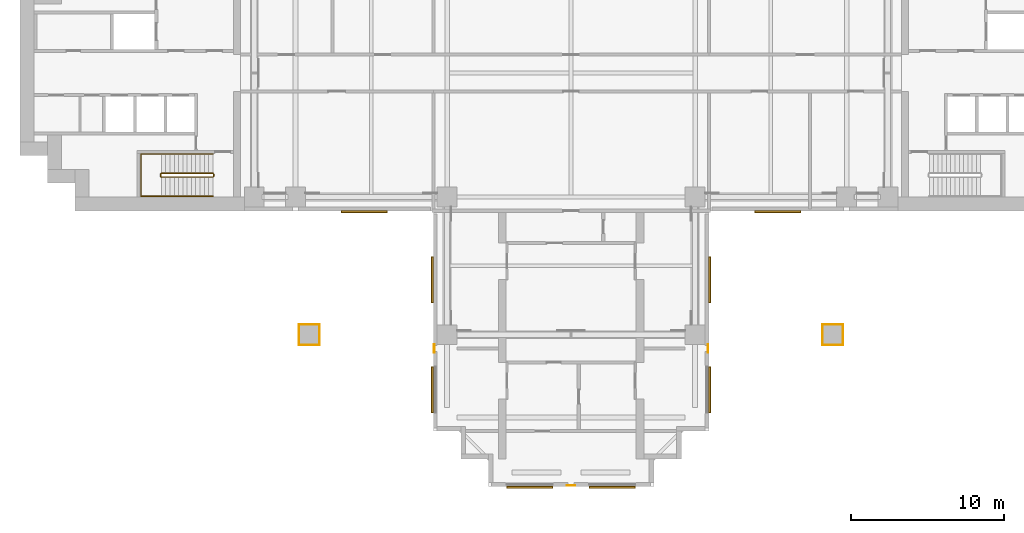
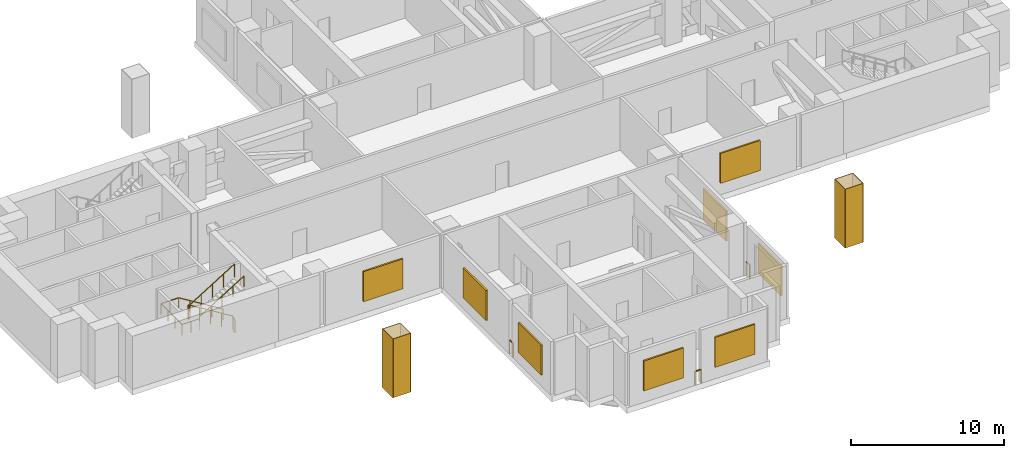
# One storey, part 9 of 10: 8 coverings, 8 shading devices, 5 railings.
"""IFC4 building model written with IfcOpenShell, lengths in metres."""

from ifc_helpers import new_model, si_unit, direction, frame, origin, origin_2d, place, context, subcontext, project, spatial, rectangle, extrude, material, layer, layer_set, type_object, element, save


model = new_model("IFC4")

# Units and contexts
model_context = context("Model", 3, precision=1e-05, world=origin(), true_north=direction((0.0, 1.0)))
body_context = subcontext(model_context, "Body", "Model", "MODEL_VIEW")
ifc_project = project(units=[si_unit("LENGTHUNIT", "METRE"), si_unit("AREAUNIT", "SQUARE_METRE"), si_unit("VOLUMEUNIT", "CUBIC_METRE"), si_unit("PLANEANGLEUNIT", "RADIAN"), si_unit("MASSUNIT", "GRAM", prefix="KILO")], contexts=[model_context])

# Site, building, storey
site_placement = place(None, origin())
site = spatial("IfcSite", under=ifc_project, at=site_placement, CompositionType="ELEMENT")
building_placement = place(site_placement, origin())
building = spatial("IfcBuilding", under=site, at=building_placement, Name="Perihelion Cross Residences", CompositionType="ELEMENT")
storey_placement = place(building_placement, frame((0.0, 0.0, 97.89990234375)))
storey = spatial("IfcBuildingStorey", under=building, at=storey_placement, Name="L22", CompositionType="ELEMENT", Elevation=97.89990234375)

# Coverings
ifc_material_1 = material(Name="Bronze anodised aluminium", Category="aluminium")
ifc_layer_1 = layer(ifc_material_1, 0.0400390625)
ifc_layer_set_1 = layer_set([ifc_layer_1], Name="Bronze column casing 40")
covering_type = type_object("IfcCoveringType", Name="Bronze column casing 40", PredefinedType="CLADDING", material=ifc_layer_set_1)
covering_1_placement = place(storey_placement, frame((-17.77001953125, -17.10009765625, -0.44970703125), z_axis=(0.0, 0.0, 1.0), x_axis=(1.0, 0.0, 0.0)))
element("IfcCovering", 1, at=covering_1_placement, inside=storey, type_object=covering_type, Name="Cladding CC1 L22 casing east-west no. 1", PredefinedType="CLADDING", context=body_context, shape_type="SweptSolid", body=[
    extrude(rectangle(XDim=0.0400390625, YDim=1.3798828125, at=origin_2d()), origin(), (0.0, 0.0, 1.0), 4.699951171875),
])
covering_2_placement = place(storey_placement, frame((-17.10009765625, -17.77001953125, -0.44970703125), z_axis=(0.0, 0.0, 1.0), x_axis=(1.0, 0.0, 0.0)))
element("IfcCovering", 2, at=covering_2_placement, inside=storey, type_object=covering_type, Name="Cladding CC1 L22 casing north-south no. 1", PredefinedType="CLADDING", context=body_context, shape_type="SweptSolid", body=[
    extrude(rectangle(XDim=1.300048828125, YDim=0.0400390625, at=origin_2d()), origin(), (0.0, 0.0, 1.0), 4.699951171875),
])
covering_3_placement = place(storey_placement, frame((-16.429931640625, -17.10009765625, -0.44970703125), z_axis=(0.0, 0.0, 1.0), x_axis=(1.0, 0.0, 0.0)))
element("IfcCovering", 3, at=covering_3_placement, inside=storey, type_object=covering_type, Name="Cladding CC1 L22 casing inner east-west no. 1", PredefinedType="CLADDING", context=body_context, shape_type="SweptSolid", body=[
    extrude(rectangle(XDim=0.0400390625, YDim=1.3798828125, at=origin_2d()), origin(), (0.0, 0.0, 1.0), 4.699951171875),
])
covering_4_placement = place(storey_placement, frame((-17.10009765625, -16.429931640625, -0.44970703125), z_axis=(0.0, 0.0, 1.0), x_axis=(1.0, 0.0, 0.0)))
element("IfcCovering", 4, at=covering_4_placement, inside=storey, type_object=covering_type, Name="Cladding CC1 L22 casing inner north-south no. 1", PredefinedType="CLADDING", context=body_context, shape_type="SweptSolid", body=[
    extrude(rectangle(XDim=1.300048828125, YDim=0.0400390625, at=origin_2d()), origin(), (0.0, 0.0, 1.0), 4.699951171875),
])
covering_5_placement = place(storey_placement, frame((17.77001953125, -17.10009765625, -0.44970703125), z_axis=(0.0, 0.0, 1.0), x_axis=(1.0, 0.0, 0.0)))
element("IfcCovering", 5, at=covering_5_placement, inside=storey, type_object=covering_type, Name="Cladding CC1 L22 casing east-west no. 3", PredefinedType="CLADDING", context=body_context, shape_type="SweptSolid", body=[
    extrude(rectangle(XDim=0.0400390625, YDim=1.3798828125, at=origin_2d()), origin(), (0.0, 0.0, 1.0), 4.699951171875),
])
covering_6_placement = place(storey_placement, frame((17.10009765625, -17.77001953125, -0.44970703125), z_axis=(0.0, 0.0, 1.0), x_axis=(1.0, 0.0, 0.0)))
element("IfcCovering", 6, at=covering_6_placement, inside=storey, type_object=covering_type, Name="Cladding CC1 L22 casing north-south no. 3", PredefinedType="CLADDING", context=body_context, shape_type="SweptSolid", body=[
    extrude(rectangle(XDim=1.300048828125, YDim=0.0400390625, at=origin_2d()), origin(), (0.0, 0.0, 1.0), 4.699951171875),
])
covering_7_placement = place(storey_placement, frame((16.429931640625, -17.10009765625, -0.44970703125), z_axis=(0.0, 0.0, 1.0), x_axis=(1.0, 0.0, 0.0)))
element("IfcCovering", 7, at=covering_7_placement, inside=storey, type_object=covering_type, Name="Cladding CC1 L22 casing inner east-west no. 3", PredefinedType="CLADDING", context=body_context, shape_type="SweptSolid", body=[
    extrude(rectangle(XDim=0.0400390625, YDim=1.3798828125, at=origin_2d()), origin(), (0.0, 0.0, 1.0), 4.699951171875),
])
covering_8_placement = place(storey_placement, frame((17.10009765625, -16.429931640625, -0.44970703125), z_axis=(0.0, 0.0, 1.0), x_axis=(1.0, 0.0, 0.0)))
element("IfcCovering", 8, at=covering_8_placement, inside=storey, type_object=covering_type, Name="Cladding CC1 L22 casing inner north-south no. 3", PredefinedType="CLADDING", context=body_context, shape_type="SweptSolid", body=[
    extrude(rectangle(XDim=1.300048828125, YDim=0.0400390625, at=origin_2d()), origin(), (0.0, 0.0, 1.0), 4.699951171875),
])

# Shading devices
ifc_material_2 = material(Name="Bronze anodised aluminium", Category="aluminium")
ifc_layer_2 = layer(ifc_material_2, 0.1201171875)
ifc_layer_set_2 = layer_set([ifc_layer_2], Name="Louvre panel")
shading_device_type = type_object("IfcShadingDeviceType", Name="Louvre panel", PredefinedType="USERDEFINED", material=ifc_layer_set_2)
for number, where, z_axis, x_axis, name in (
    (9, (-13.5, -9.06005859375, 1.000244140625), (0.0, 0.0, 1.0), (1.0, 0.0, 0.0), "Louvre LV1 L22 west side south bay 2"),
    (10, (-9.06005859375, -13.5, 1.000244140625), (0.0, 0.0, 1.0), (0.0, -1.0, 0.0), "Louvre LV1 L22 south side west bay 1"),
    (11, (-9.06005859375, -20.699951171875, 1.000244140625), (0.0, 0.0, 1.0), (0.0, -1.0, 0.0), "Louvre LV1 L22 south side west bay 2"),
    (12, (-2.699951171875, -27.06005859375, 1.000244140625), (0.0, 0.0, 1.0), (1.0, 0.0, 0.0), "Louvre LV1 L22 south tip south bay 1"),
    (13, (2.699951171875, -27.06005859375, 1.000244140625), (0.0, 0.0, 1.0), (1.0, 0.0, 0.0), "Louvre LV1 L22 south tip south bay 2"),
    (14, (9.06005859375, -20.699951171875, 1.000244140625), (0.0, 0.0, 1.0), (0.0, 1.0, 0.0), "Louvre LV1 L22 south side east bay 1"),
    (15, (9.06005859375, -13.5, 1.000244140625), (0.0, 0.0, 1.0), (0.0, 1.0, 0.0), "Louvre LV1 L22 south side east bay 2"),
    (16, (13.5, -9.06005859375, 1.000244140625), (0.0, 0.0, 1.0), (1.0, 0.0, 0.0), "Louvre LV1 L22 east side south bay 1"),
):
    element("IfcShadingDevice", number, at=place(storey_placement, frame(where, z_axis=z_axis, x_axis=x_axis)), inside=storey, type_object=shading_device_type, Name=name, ObjectType="LOUVRE", PredefinedType="USERDEFINED", context=body_context, shape_type="SweptSolid", body=[
        extrude(rectangle(XDim=3.0, YDim=0.1201171875, at=origin_2d()), origin(), (0.0, 0.0, 1.0), 2.39990234375),
    ])

# Railings
ifc_material_3 = material(Name="Bronze anodised aluminium", Category="aluminium")
railing_type_1 = type_object("IfcRailingType", Name="Roof guard 1100", PredefinedType="GUARDRAIL", material=ifc_material_3)
railing_1_placement = place(storey_placement, frame((-8.93994140625, -17.75, 0.0)))
element("IfcRailing", 17, at=railing_1_placement, inside=storey, type_object=railing_type_1, Name="Guard GU3 L22 edge 1 1 4", PredefinedType="GUARDRAIL", context=body_context, shape_type="SweptSolid", body=[
    extrude(rectangle(XDim=0.048095703125, YDim=0.048095703125, at=origin_2d()), frame((0.0, 0.0, 1.076171875), z_axis=(0.0, -1.0, 0.0), x_axis=(1.0, 0.0, 0.0)), (0.0, 0.0, 1.0), 0.5),
    extrude(rectangle(XDim=0.0419921875, YDim=0.0419921875, at=origin_2d()), origin(), (0.0, 0.0, 1.0), 1.052001953125),
    extrude(rectangle(XDim=0.0419921875, YDim=0.0419921875, at=origin_2d()), frame((0.0, -0.5, 0.0)), (0.0, 0.0, 1.0), 1.052001953125),
])
railing_2_placement = place(storey_placement, frame((-0.25, -26.93994140625, 0.0)))
element("IfcRailing", 18, at=railing_2_placement, inside=storey, type_object=railing_type_1, Name="Guard GU3 L22 edge 1 1 5", PredefinedType="GUARDRAIL", context=body_context, shape_type="SweptSolid", body=[
    extrude(rectangle(XDim=0.048095703125, YDim=0.048095703125, at=origin_2d()), frame((0.0, 0.0, 1.076171875), z_axis=(1.0, 0.0, 0.0), x_axis=(0.0, 1.0, 0.0)), (0.0, 0.0, 1.0), 0.5),
    extrude(rectangle(XDim=0.0419921875, YDim=0.0419921875, at=origin_2d()), origin(), (0.0, 0.0, 1.0), 1.052001953125),
    extrude(rectangle(XDim=0.0419921875, YDim=0.0419921875, at=origin_2d()), frame((0.5, 0.0, 0.0)), (0.0, 0.0, 1.0), 1.052001953125),
])
railing_3_placement = place(storey_placement, frame((8.93994140625, -18.25, 0.0)))
element("IfcRailing", 19, at=railing_3_placement, inside=storey, type_object=railing_type_1, Name="Guard GU3 L22 edge 1 1 6", PredefinedType="GUARDRAIL", context=body_context, shape_type="SweptSolid", body=[
    extrude(rectangle(XDim=0.048095703125, YDim=0.048095703125, at=origin_2d()), frame((0.0, 0.0, 1.076171875), z_axis=(0.0, 1.0, 0.0), x_axis=(-1.0, 0.0, 0.0)), (0.0, 0.0, 1.0), 0.5),
    extrude(rectangle(XDim=0.0419921875, YDim=0.0419921875, at=origin_2d()), origin(), (0.0, 0.0, 1.0), 1.052001953125),
    extrude(rectangle(XDim=0.0419921875, YDim=0.0419921875, at=origin_2d()), frame((0.0, 0.5, 0.0)), (0.0, 0.0, 1.0), 1.052001953125),
])
ifc_material_4 = material(Name="Stainless steel", Category="steel")
railing_type_2 = type_object("IfcRailingType", Name="Stair guard 1100", PredefinedType="GUARDRAIL", material=ifc_material_4)
railing_4_placement = place(storey_placement, frame((-23.35009765625, -6.75, 0.0)))
element("IfcRailing", 20, at=railing_4_placement, inside=storey, type_object=railing_type_2, Name="L22 ST-W2 stair guard 1", PredefinedType="GUARDRAIL", context=body_context, shape_type="SweptSolid", body=[
    extrude(rectangle(XDim=0.048095703125, YDim=0.048095703125, at=origin_2d()), frame((0.0, 0.0, 1.076171875), z_axis=(0.0, 1.0, 0.0), x_axis=(-1.0, 0.0, 0.0)), (0.0, 0.0, 1.0), 0.14990234375),
    extrude(rectangle(XDim=0.048095703125, YDim=0.048095703125, at=origin_2d()), frame((0.0, 0.14990234375, 1.076171875), z_axis=(-0.266417085129, 0.267723051232, 0.925929967433), x_axis=(-0.708833529934, -0.705375805398, 0.0)), (0.0, 0.0, 1.0), 0.18701171875),
    extrude(rectangle(XDim=0.048095703125, YDim=0.048095703125, at=origin_2d()), frame((-0.0498046875, 0.199951171875, 1.2490234375), z_axis=(-0.850623216509, 0.0, 0.525775754039), x_axis=(0.0, -1.0, 0.0)), (0.0, 0.0, 1.0), 3.9501953125),
    extrude(rectangle(XDim=0.048095703125, YDim=0.048095703125, at=origin_2d()), frame((-3.409912109375, 0.199951171875, 3.326171875), z_axis=(-0.707106781187, -0.707106781187, 0.0), x_axis=(0.707106781187, -0.707106781187, 0.0)), (0.0, 0.0, 1.0), 0.07080078125),
    extrude(rectangle(XDim=0.048095703125, YDim=0.048095703125, at=origin_2d()), frame((-3.4599609375, 0.14990234375, 3.326171875), z_axis=(0.0, -1.0, 0.0), x_axis=(1.0, 0.0, 0.0)), (0.0, 0.0, 1.0), 0.14990234375),
    extrude(rectangle(XDim=0.048095703125, YDim=0.048095703125, at=origin_2d()), frame((-3.4599609375, 0.0, 3.326171875), z_axis=(0.267629722418, -0.267629722418, 0.925607186314), x_axis=(0.707106781187, 0.707106781187, 0.0)), (0.0, 0.0, 1.0), 0.18701171875),
    extrude(rectangle(XDim=0.048095703125, YDim=0.048095703125, at=origin_2d()), frame((-3.409912109375, -0.050048828125, 3.4990234375), z_axis=(0.850623216509, 0.0, 0.525775754039), x_axis=(0.0, 1.0, 0.0)), (0.0, 0.0, 1.0), 3.9501953125),
    extrude(rectangle(XDim=0.0419921875, YDim=0.0419921875, at=origin_2d()), origin(), (0.0, 0.0, 1.0), 1.052001953125),
    extrude(rectangle(XDim=0.0419921875, YDim=0.0419921875, at=origin_2d()), frame((0.0, 0.14990234375, 0.0)), (0.0, 0.0, 1.0), 1.052001953125),
    extrude(rectangle(XDim=0.0419921875, YDim=0.0419921875, at=origin_2d()), frame((-0.0498046875, 0.199951171875, 0.173095703125)), (0.0, 0.0, 1.0), 1.052001953125),
    extrude(rectangle(XDim=0.0419921875, YDim=0.0419921875, at=origin_2d()), frame((-0.889892578125, 0.199951171875, 0.6923828125)), (0.0, 0.0, 1.0), 1.052001953125),
    extrude(rectangle(XDim=0.0419921875, YDim=0.0419921875, at=origin_2d()), frame((-1.72998046875, 0.199951171875, 1.21142578125)), (0.0, 0.0, 1.0), 1.052001953125),
    extrude(rectangle(XDim=0.0419921875, YDim=0.0419921875, at=origin_2d()), frame((-2.56982421875, 0.199951171875, 1.730712890625)), (0.0, 0.0, 1.0), 1.052001953125),
    extrude(rectangle(XDim=0.0419921875, YDim=0.0419921875, at=origin_2d()), frame((-3.409912109375, 0.199951171875, 2.25)), (0.0, 0.0, 1.0), 1.052001953125),
    extrude(rectangle(XDim=0.0419921875, YDim=0.0419921875, at=origin_2d()), frame((-3.4599609375, 0.14990234375, 2.25)), (0.0, 0.0, 1.0), 1.052001953125),
    extrude(rectangle(XDim=0.0419921875, YDim=0.0419921875, at=origin_2d()), frame((-3.4599609375, 0.0, 2.25)), (0.0, 0.0, 1.0), 1.052001953125),
    extrude(rectangle(XDim=0.0419921875, YDim=0.0419921875, at=origin_2d()), frame((-3.409912109375, -0.050048828125, 2.423095703125)), (0.0, 0.0, 1.0), 1.052001953125),
    extrude(rectangle(XDim=0.0419921875, YDim=0.0419921875, at=origin_2d()), frame((-2.56982421875, -0.050048828125, 2.9423828125)), (0.0, 0.0, 1.0), 1.052001953125),
    extrude(rectangle(XDim=0.0419921875, YDim=0.0419921875, at=origin_2d()), frame((-1.72998046875, -0.050048828125, 3.46142578125)), (0.0, 0.0, 1.0), 1.052001953125),
    extrude(rectangle(XDim=0.0419921875, YDim=0.0419921875, at=origin_2d()), frame((-0.889892578125, -0.050048828125, 3.980712890625)), (0.0, 0.0, 1.0), 1.052001953125),
    extrude(rectangle(XDim=0.0419921875, YDim=0.0419921875, at=origin_2d()), frame((-0.0498046875, -0.050048828125, 4.5)), (0.0, 0.0, 1.0), 1.052001953125),
])
ifc_material_5 = material(Name="Stainless steel", Category="steel")
railing_type_3 = type_object("IfcRailingType", Name="Stair handrail 900", PredefinedType="HANDRAIL", material=ifc_material_5)
railing_5_placement = place(storey_placement, frame((-23.39990234375, -5.300048828125, 0.173095703125)))
element("IfcRailing", 21, at=railing_5_placement, inside=storey, type_object=railing_type_3, Name="L22 ST-W2 stair handrail 1", PredefinedType="HANDRAIL", context=body_context, shape_type="SweptSolid", body=[
    extrude(rectangle(XDim=0.048095703125, YDim=0.048095703125, at=origin_2d()), frame((0.0, 0.0, 0.8759765625), z_axis=(-0.850623216509, 0.0, 0.525775754039), x_axis=(0.0, -1.0, 0.0)), (0.0, 0.0, 1.0), 3.9501953125),
    extrude(rectangle(XDim=0.048095703125, YDim=0.048095703125, at=origin_2d()), frame((-3.360107421875, 0.0, 2.95263671875), z_axis=(-1.0, 0.0, 0.0), x_axis=(0.0, -1.0, 0.0)), (0.0, 0.0, 1.0), 1.340087890625),
    extrude(rectangle(XDim=0.048095703125, YDim=0.048095703125, at=origin_2d()), frame((-4.7001953125, 0.0, 2.95263671875), z_axis=(0.0, -1.0, 0.0), x_axis=(1.0, 0.0, 0.0)), (0.0, 0.0, 1.0), 2.75),
    extrude(rectangle(XDim=0.048095703125, YDim=0.048095703125, at=origin_2d()), frame((-4.7001953125, -2.75, 2.95263671875), z_axis=(1.0, 0.0, 0.0), x_axis=(0.0, 1.0, 0.0)), (0.0, 0.0, 1.0), 1.340087890625),
    extrude(rectangle(XDim=0.048095703125, YDim=0.048095703125, at=origin_2d()), frame((-3.360107421875, -2.75, 2.95263671875), z_axis=(0.0, 0.0, 1.0), x_axis=(1.0, 0.0, 0.0)), (0.0, 0.0, 1.0), 0.173095703125),
    extrude(rectangle(XDim=0.048095703125, YDim=0.048095703125, at=origin_2d()), frame((-3.360107421875, -2.75, 3.1259765625), z_axis=(0.850623216509, 0.0, 0.525775754039), x_axis=(0.0, 1.0, 0.0)), (0.0, 0.0, 1.0), 3.9501953125),
    extrude(rectangle(XDim=0.0419921875, YDim=0.0419921875, at=origin_2d()), origin(), (0.0, 0.0, 1.0), 0.851806640625),
    extrude(rectangle(XDim=0.0419921875, YDim=0.0419921875, at=origin_2d()), frame((-0.840087890625, 0.0, 0.519287109375)), (0.0, 0.0, 1.0), 0.851806640625),
    extrude(rectangle(XDim=0.0419921875, YDim=0.0419921875, at=origin_2d()), frame((-1.68017578125, 0.0, 1.03857421875)), (0.0, 0.0, 1.0), 0.851806640625),
    extrude(rectangle(XDim=0.0419921875, YDim=0.0419921875, at=origin_2d()), frame((-2.52001953125, 0.0, 1.5576171875)), (0.0, 0.0, 1.0), 0.851806640625),
    extrude(rectangle(XDim=0.0419921875, YDim=0.0419921875, at=origin_2d()), frame((-3.360107421875, 0.0, 2.076904296875)), (0.0, 0.0, 1.0), 0.851806640625),
    extrude(rectangle(XDim=0.0419921875, YDim=0.0419921875, at=origin_2d()), frame((-4.0302734375, 0.0, 2.076904296875)), (0.0, 0.0, 1.0), 0.851806640625),
    extrude(rectangle(XDim=0.0419921875, YDim=0.0419921875, at=origin_2d()), frame((-4.7001953125, 0.0, 2.076904296875)), (0.0, 0.0, 1.0), 0.851806640625),
    extrude(rectangle(XDim=0.0419921875, YDim=0.0419921875, at=origin_2d()), frame((-4.7001953125, -0.916748046875, 2.076904296875)), (0.0, 0.0, 1.0), 0.851806640625),
    extrude(rectangle(XDim=0.0419921875, YDim=0.0419921875, at=origin_2d()), frame((-4.7001953125, -1.833251953125, 2.076904296875)), (0.0, 0.0, 1.0), 0.851806640625),
    extrude(rectangle(XDim=0.0419921875, YDim=0.0419921875, at=origin_2d()), frame((-4.7001953125, -2.75, 2.076904296875)), (0.0, 0.0, 1.0), 0.851806640625),
    extrude(rectangle(XDim=0.0419921875, YDim=0.0419921875, at=origin_2d()), frame((-4.0302734375, -2.75, 2.076904296875)), (0.0, 0.0, 1.0), 0.851806640625),
    extrude(rectangle(XDim=0.0419921875, YDim=0.0419921875, at=origin_2d()), frame((-3.360107421875, -2.75, 2.076904296875)), (0.0, 0.0, 1.0), 0.851806640625),
    extrude(rectangle(XDim=0.0419921875, YDim=0.0419921875, at=origin_2d()), frame((-3.360107421875, -2.75, 2.25)), (0.0, 0.0, 1.0), 0.851806640625),
    extrude(rectangle(XDim=0.0419921875, YDim=0.0419921875, at=origin_2d()), frame((-2.52001953125, -2.75, 2.769287109375)), (0.0, 0.0, 1.0), 0.851806640625),
    extrude(rectangle(XDim=0.0419921875, YDim=0.0419921875, at=origin_2d()), frame((-1.68017578125, -2.75, 3.28857421875)), (0.0, 0.0, 1.0), 0.851806640625),
    extrude(rectangle(XDim=0.0419921875, YDim=0.0419921875, at=origin_2d()), frame((-0.840087890625, -2.75, 3.8076171875)), (0.0, 0.0, 1.0), 0.851806640625),
    extrude(rectangle(XDim=0.0419921875, YDim=0.0419921875, at=origin_2d()), frame((0.0, -2.75, 4.326904296875)), (0.0, 0.0, 1.0), 0.851806640625),
])

save(model, "model.ifc")
